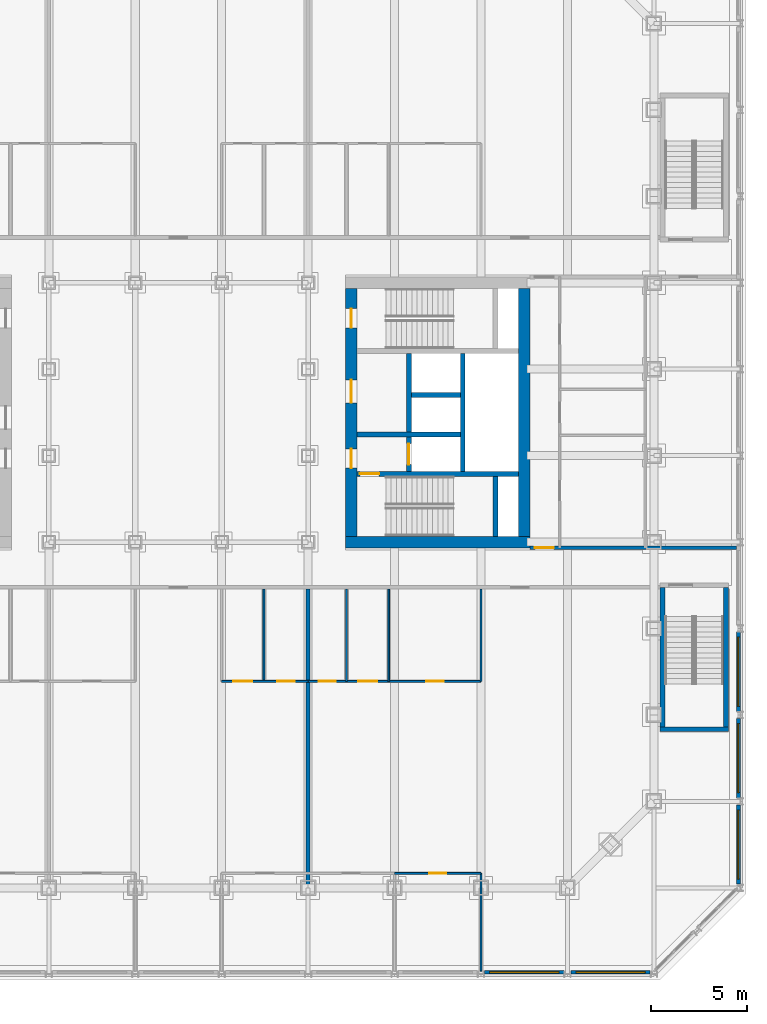
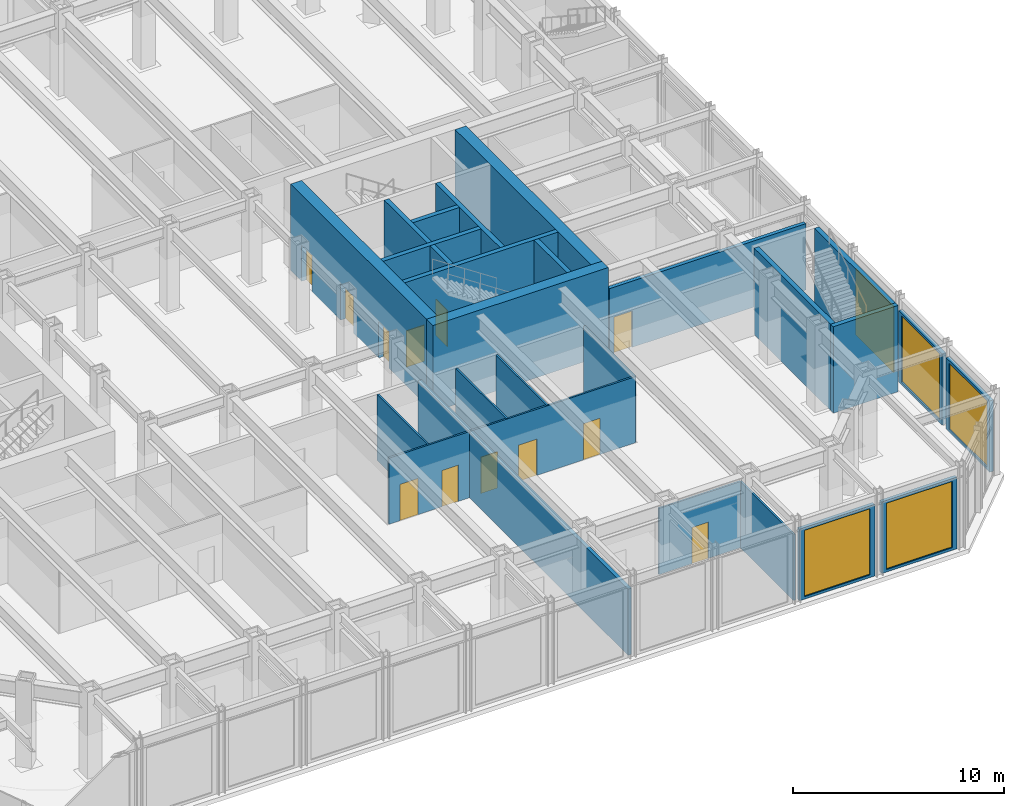
# One storey, part 12 of 19: 27 walls, 12 doors, 5 windows, 17 openings.
"""IFC4 building model written with IfcOpenShell, lengths in metres."""

from ifc_helpers import new_model, si_unit, direction, frame, frame_2d, origin, place, context, subcontext, project, spatial, rectangle, extrude, material, layer, layer_set, type_object, element, fill, save


model = new_model("IFC4")

# Units and contexts
model_context = context("Model", 3, precision=1e-05, world=origin(), true_north=direction((0.0, 1.0)))
body_context = subcontext(model_context, "Body", "Model", "MODEL_VIEW")
ifc_project = project(units=[si_unit("LENGTHUNIT", "METRE"), si_unit("AREAUNIT", "SQUARE_METRE"), si_unit("VOLUMEUNIT", "CUBIC_METRE"), si_unit("PLANEANGLEUNIT", "RADIAN"), si_unit("MASSUNIT", "GRAM", prefix="KILO")], contexts=[model_context])

# Site, building, storey
site_placement = place(None, origin())
site = spatial("IfcSite", under=ifc_project, at=site_placement, CompositionType="ELEMENT")
building_placement = place(site_placement, origin())
building = spatial("IfcBuilding", under=site, at=building_placement, Name="Msasa Ring Tower", CompositionType="ELEMENT")
storey_placement = place(building_placement, frame((0.0, 0.0, 6.0)))
storey = spatial("IfcBuildingStorey", under=building, at=storey_placement, Name="L01", CompositionType="ELEMENT", Elevation=6.0)

# Wall
ifc_material_1 = material(Name="Concrete C60/75", Category="concrete")
ifc_layer_1 = layer(ifc_material_1, 0.60009765625)
ifc_layer_set_1 = layer_set([ifc_layer_1], Name="CW1 CORE WALL 600")
wall_type_1 = type_object("IfcWallType", Name="CW1 CORE WALL 600", PredefinedType="SHEAR", material=ifc_layer_set_1)
wall_1_placement = place(storey_placement, frame((8.699951171875, -6.75, 0.0), z_axis=(0.0, 0.0, 1.0), x_axis=(1.0, 0.0, 0.0)))
element("IfcWall", 1, at=wall_1_placement, inside=storey, type_object=wall_type_1, Name="E core wall S L01", PredefinedType="SHEAR", context=body_context, shape_type="SweptSolid", body=[
    extrude(rectangle(XDim=9.60009765625, YDim=0.60009765625, at=frame_2d((4.800048828125, 0.0))), origin(), (0.0, 0.0, 1.0), 5.0),
])

# Wall, openings, doors
wall_2_placement = place(storey_placement, frame((9.0, -6.449951171875, 0.0), z_axis=(0.0, 0.0, 1.0), x_axis=(0.0, 1.0, 0.0)))
wall_2 = element("IfcWall", 2, at=wall_2_placement, inside=storey, type_object=wall_type_1, Name="E core wall W L01", PredefinedType="SHEAR", context=body_context, shape_type="SweptSolid", body=[
    extrude(rectangle(XDim=12.89990234375, YDim=0.60009765625, at=frame_2d((6.449951171875, 0.0))), origin(), (0.0, 0.0, 1.0), 5.0),
])
opening_1_placement = place(wall_2_placement, frame((3.550048828125, 0.0, 0.0)))
opening_1 = element("IfcOpeningElement", 3, at=opening_1_placement, cuts=wall_2, Name="Opening L01-028", PredefinedType="OPENING", context=body_context, shape_type="SweptSolid", body=[
    extrude(rectangle(XDim=1.0, YDim=2.10009765625, at=frame_2d((0.5, 1.050048828125))), frame((0.0, 0.31005859375, 0.0), z_axis=(0.0, -1.0, 0.0), x_axis=(1.0, 0.0, 0.0)), (0.0, 0.0, 1.0), 0.6201171875),
])
opening_2_placement = place(wall_2_placement, frame((6.949951171875, 0.0, 0.0)))
opening_2 = element("IfcOpeningElement", 4, at=opening_2_placement, cuts=wall_2, Name="Opening L01-023", PredefinedType="OPENING", context=body_context, shape_type="SweptSolid", body=[
    extrude(rectangle(XDim=1.199951171875, YDim=2.10009765625, at=frame_2d((0.60009765625, 1.050048828125))), frame((0.0, 0.31005859375, 0.0), z_axis=(0.0, -1.0, 0.0), x_axis=(1.0, 0.0, 0.0)), (0.0, 0.0, 1.0), 0.6201171875),
])
opening_3_placement = place(wall_2_placement, frame((10.85009765625, 0.0, 0.0)))
opening_3 = element("IfcOpeningElement", 5, at=opening_3_placement, cuts=wall_2, Name="Opening L01-020", PredefinedType="OPENING", context=body_context, shape_type="SweptSolid", body=[
    extrude(rectangle(XDim=1.0, YDim=2.10009765625, at=frame_2d((0.5, 1.050048828125))), frame((0.0, 0.31005859375, 0.0), z_axis=(0.0, -1.0, 0.0), x_axis=(1.0, 0.0, 0.0)), (0.0, 0.0, 1.0), 0.6201171875),
])
ifc_material_2 = material(Name="Timber door leaf in a steel frame", Category="steel")
door_type_1 = type_object("IfcDoorType", Name="D4 LOBBY DOOR 1000x2100", OperationType="SINGLE_SWING_LEFT", PredefinedType="DOOR", material=ifc_material_2)
door_1_placement = place(opening_1_placement, origin())
door_1 = element("IfcDoor", 6, at=door_1_placement, inside=storey, type_object=door_type_1, Name="Door L01-EFFL", OperationType="SINGLE_SWING_LEFT", OverallHeight=2.10009765625, OverallWidth=1.0, PredefinedType="DOOR", context=body_context, shape_type="SweptSolid", body=[
    extrude(rectangle(XDim=1.0, YDim=2.10009765625, at=frame_2d((0.5, 1.050048828125))), frame((0.0, 0.02490234375, 0.0), z_axis=(0.0, -1.0, 0.0), x_axis=(1.0, 0.0, 0.0)), (0.0, 0.0, 1.0), 0.050048828125),
])
fill(opening_1, door_1)
ifc_material_3 = material(Name="Timber door leaf in a steel frame", Category="steel")
door_type_2 = type_object("IfcDoorType", Name="D5 WIDE LOBBY DOOR 1200x2100", OperationType="SINGLE_SWING_LEFT", PredefinedType="DOOR", material=ifc_material_3)
door_2_placement = place(opening_2_placement, origin())
door_2 = element("IfcDoor", 7, at=door_2_placement, inside=storey, type_object=door_type_2, Name="Door L01-ELL", OperationType="SINGLE_SWING_RIGHT", OverallHeight=2.10009765625, OverallWidth=1.199951171875, PredefinedType="DOOR", context=body_context, shape_type="SweptSolid", body=[
    extrude(rectangle(XDim=1.199951171875, YDim=2.10009765625, at=frame_2d((0.60009765625, 1.050048828125))), frame((0.0, 0.02490234375, 0.0), z_axis=(0.0, -1.0, 0.0), x_axis=(1.0, 0.0, 0.0)), (0.0, 0.0, 1.0), 0.050048828125),
])
fill(opening_2, door_2)
ifc_material_4 = material(Name="Timber door leaf in a steel frame", Category="steel")
door_type_3 = type_object("IfcDoorType", Name="D6 STAIR DOOR 1000x2100", OperationType="SINGLE_SWING_LEFT", PredefinedType="DOOR", material=ifc_material_4)
door_3_placement = place(opening_3_placement, origin())
door_3 = element("IfcDoor", 8, at=door_3_placement, inside=storey, type_object=door_type_3, Name="Door L01-ESTB", OperationType="SINGLE_SWING_RIGHT", OverallHeight=2.10009765625, OverallWidth=1.0, PredefinedType="DOOR", context=body_context, shape_type="SweptSolid", body=[
    extrude(rectangle(XDim=1.0, YDim=2.10009765625, at=frame_2d((0.5, 1.050048828125))), frame((0.0, 0.02490234375, 0.0), z_axis=(0.0, -1.0, 0.0), x_axis=(1.0, 0.0, 0.0)), (0.0, 0.0, 1.0), 0.050048828125),
])
fill(opening_3, door_3)

# Wall
wall_3_placement = place(storey_placement, frame((18.0, -6.449951171875, 0.0), z_axis=(0.0, 0.0, 1.0), x_axis=(0.0, 1.0, 0.0)))
element("IfcWall", 9, at=wall_3_placement, inside=storey, type_object=wall_type_1, Name="E core wall E L01", PredefinedType="SHEAR", context=body_context, shape_type="SweptSolid", body=[
    extrude(rectangle(XDim=12.89990234375, YDim=0.60009765625, at=frame_2d((6.449951171875, 0.0))), origin(), (0.0, 0.0, 1.0), 5.0),
])

# Wall, opening, door
ifc_material_5 = material(Name="Concrete C60/75", Category="concrete")
ifc_layer_2 = layer(ifc_material_5, 0.25)
ifc_layer_set_2 = layer_set([ifc_layer_2], Name="CW4 CORE INNER WALL 250")
wall_type_2 = type_object("IfcWallType", Name="CW4 CORE INNER WALL 250", PredefinedType="SHEAR", material=ifc_layer_set_2)
wall_4_placement = place(storey_placement, frame((9.300048828125, -3.199951171875, 0.0), z_axis=(0.0, 0.0, 1.0), x_axis=(1.0, 0.0, 0.0)))
wall_4 = element("IfcWall", 10, at=wall_4_placement, inside=storey, type_object=wall_type_2, Name="E core wall STAIRA L01", PredefinedType="SHEAR", context=body_context, shape_type="SweptSolid", body=[
    extrude(rectangle(XDim=8.39990234375, YDim=0.25, at=frame_2d((4.199951171875, 0.0))), origin(), (0.0, 0.0, 1.0), 5.0),
])
opening_4_placement = place(wall_4_placement, frame((0.14990234375, 0.0, 0.0)))
opening_4 = element("IfcOpeningElement", 11, at=opening_4_placement, cuts=wall_4, Name="Opening L01-030", PredefinedType="OPENING", context=body_context, shape_type="SweptSolid", body=[
    extrude(rectangle(XDim=1.0, YDim=2.10009765625, at=frame_2d((0.5, 1.050048828125))), frame((0.0, 0.135009765625, 0.0), z_axis=(0.0, -1.0, 0.0), x_axis=(1.0, 0.0, 0.0)), (0.0, 0.0, 1.0), 0.27001953125),
])
door_4_placement = place(opening_4_placement, origin())
door_4 = element("IfcDoor", 12, at=door_4_placement, inside=storey, type_object=door_type_3, Name="Door L01-ESTA", OperationType="SINGLE_SWING_LEFT", OverallHeight=2.10009765625, OverallWidth=1.0, PredefinedType="DOOR", context=body_context, shape_type="SweptSolid", body=[
    extrude(rectangle(XDim=1.0, YDim=2.10009765625, at=frame_2d((0.5, 1.050048828125))), frame((0.0, 0.02490234375, 0.0), z_axis=(0.0, -1.0, 0.0), x_axis=(1.0, 0.0, 0.0)), (0.0, 0.0, 1.0), 0.050048828125),
])
fill(opening_4, door_4)

# Walls
wall_5_placement = place(storey_placement, frame((16.5, -6.449951171875, 0.0), z_axis=(0.0, 0.0, 1.0), x_axis=(0.0, 1.0, 0.0)))
element("IfcWall", 13, at=wall_5_placement, inside=storey, type_object=wall_type_2, Name="E core wall RISERA L01", PredefinedType="SHEAR", context=body_context, shape_type="SweptSolid", body=[
    extrude(rectangle(XDim=3.125, YDim=0.25, at=frame_2d((1.5625, 0.0))), origin(), (0.0, 0.0, 1.0), 5.0),
])
wall_6_placement = place(storey_placement, frame((9.300048828125, -1.14990234375, 0.0), z_axis=(0.0, 0.0, 1.0), x_axis=(1.0, 0.0, 0.0)))
element("IfcWall", 14, at=wall_6_placement, inside=storey, type_object=wall_type_2, Name="E core wall FFL L01", PredefinedType="SHEAR", context=body_context, shape_type="SweptSolid", body=[
    extrude(rectangle(XDim=5.375, YDim=0.25, at=frame_2d((2.6875, 0.0))), origin(), (0.0, 0.0, 1.0), 5.0),
])

# Wall, opening, door
wall_7_placement = place(storey_placement, frame((12.0, -3.074951171875, 0.0), z_axis=(0.0, 0.0, 1.0), x_axis=(0.0, 1.0, 0.0)))
wall_7 = element("IfcWall", 15, at=wall_7_placement, inside=storey, type_object=wall_type_2, Name="E core wall LOBBY L01", PredefinedType="SHEAR", context=body_context, shape_type="SweptSolid", body=[
    extrude(rectangle(XDim=6.14990234375, YDim=0.25, at=frame_2d((3.074951171875, 0.0))), origin(), (0.0, 0.0, 1.0), 5.0),
])
opening_5_placement = place(wall_7_placement, frame((0.35009765625, 0.0, 0.0)))
opening_5 = element("IfcOpeningElement", 16, at=opening_5_placement, cuts=wall_7, Name="Opening LD1", PredefinedType="OPENING", context=body_context, shape_type="SweptSolid", body=[
    extrude(rectangle(XDim=1.10009765625, YDim=2.10009765625, at=frame_2d((0.550048828125, 1.050048828125))), frame((0.0, 0.135009765625, 0.0), z_axis=(0.0, -1.0, 0.0), x_axis=(1.0, 0.0, 0.0)), (0.0, 0.0, 1.0), 0.27001953125),
])
ifc_material_6 = material(Name="Stainless steel lift landing door", Category="steel")
door_type_4 = type_object("IfcDoorType", Name="LD1 LIFT LANDING DOOR 1100x2100", OperationType="DOUBLE_DOOR_SLIDING", PredefinedType="DOOR", material=ifc_material_6)
door_5_placement = place(opening_5_placement, origin())
door_5 = element("IfcDoor", 17, at=door_5_placement, inside=storey, type_object=door_type_4, Name="Lift landing door FL-E L01", OperationType="DOUBLE_DOOR_SLIDING", OverallHeight=2.10009765625, OverallWidth=1.10009765625, PredefinedType="DOOR", context=body_context, shape_type="SweptSolid", body=[
    extrude(rectangle(XDim=1.10009765625, YDim=2.10009765625, at=frame_2d((0.550048828125, 1.050048828125))), frame((0.0, 0.02490234375, 0.0), z_axis=(0.0, -1.0, 0.0), x_axis=(1.0, 0.0, 0.0)), (0.0, 0.0, 1.0), 0.050048828125),
])
fill(opening_5, door_5)

# Walls
wall_8_placement = place(storey_placement, frame((14.800048828125, -3.074951171875, 0.0), z_axis=(0.0, 0.0, 1.0), x_axis=(0.0, 1.0, 0.0)))
element("IfcWall", 18, at=wall_8_placement, inside=storey, type_object=wall_type_2, Name="E core wall SHAFT L01", PredefinedType="SHEAR", context=body_context, shape_type="SweptSolid", body=[
    extrude(rectangle(XDim=6.14990234375, YDim=0.25, at=frame_2d((3.074951171875, 0.0))), origin(), (0.0, 0.0, 1.0), 5.0),
])
wall_9_placement = place(storey_placement, frame((12.125, 0.89990234375, 0.0), z_axis=(0.0, 0.0, 1.0), x_axis=(1.0, 0.0, 0.0)))
element("IfcWall", 19, at=wall_9_placement, inside=storey, type_object=wall_type_2, Name="E core wall LIFT1 L01", PredefinedType="SHEAR", context=body_context, shape_type="SweptSolid", body=[
    extrude(rectangle(XDim=2.550048828125, YDim=0.25, at=frame_2d((1.27490234375, 0.0))), origin(), (0.0, 0.0, 1.0), 5.0),
])

# Wall, opening, window
ifc_material_7 = material(Name="Terracotta rainscreen on blockwork", Category="masonry")
ifc_layer_3 = layer(ifc_material_7, 0.199951171875)
ifc_layer_set_3 = layer_set([ifc_layer_3], Name="FW2 TERRACOTTA PODIUM BAY WALL 200")
wall_type_3 = type_object("IfcWallType", Name="FW2 TERRACOTTA PODIUM BAY WALL 200", PredefinedType="SOLIDWALL", material=ifc_layer_set_3)
wall_10_placement = place(storey_placement, frame((15.9375, -29.14990234375, 0.0), z_axis=(0.0, 0.0, 1.0), x_axis=(1.0, 0.0, 0.0)))
wall_10 = element("IfcWall", 20, at=wall_10_placement, inside=storey, type_object=wall_type_3, Name="Podium bay wall S L01 09", PredefinedType="SOLIDWALL", context=body_context, shape_type="SweptSolid", body=[
    extrude(rectangle(XDim=4.124755859375, YDim=0.199951171875, at=frame_2d((2.0625, 0.0))), origin(), (0.0, 0.0, 1.0), 4.1328125),
])
opening_6_placement = place(wall_10_placement, frame((0.262451171875, 0.0, 0.14990234375)))
opening_6 = element("IfcOpeningElement", 21, at=opening_6_placement, cuts=wall_10, Name="Opening SF2", PredefinedType="OPENING", context=body_context, shape_type="SweptSolid", body=[
    extrude(rectangle(XDim=3.60009765625, YDim=3.8330078125, at=frame_2d((1.800048828125, 1.91650390625))), frame((0.0, 0.10986328125, 0.0), z_axis=(0.0, -1.0, 0.0), x_axis=(1.0, 0.0, 0.0)), (0.0, 0.0, 1.0), 0.219970703125),
])
ifc_material_8 = material(Name="Aluminium frame with clear glass", Category="aluminium")
window_type = type_object("IfcWindowType", Name="SF2 SHOPFRONT GLAZING 3600x3833", PartitioningType="SINGLE_PANEL", PredefinedType="WINDOW", material=ifc_material_8)
window_1_placement = place(opening_6_placement, origin())
window_1 = element("IfcWindow", 22, at=window_1_placement, inside=storey, type_object=window_type, Name="Shopfront glazing S L01 09", OverallHeight=3.8330078125, OverallWidth=3.60009765625, PartitioningType="SINGLE_PANEL", PredefinedType="WINDOW", context=body_context, shape_type="SweptSolid", body=[
    extrude(rectangle(XDim=3.60009765625, YDim=3.8330078125, at=frame_2d((1.800048828125, 1.91650390625))), frame((0.0, 0.030029296875, 0.0), z_axis=(0.0, -1.0, 0.0), x_axis=(1.0, 0.0, 0.0)), (0.0, 0.0, 1.0), 0.06005859375),
])
fill(opening_6, window_1)

wall_11_placement = place(storey_placement, frame((20.437744140625, -29.14990234375, 0.0), z_axis=(0.0, 0.0, 1.0), x_axis=(1.0, 0.0, 0.0)))
wall_11 = element("IfcWall", 23, at=wall_11_placement, inside=storey, type_object=wall_type_3, Name="Podium bay wall S L01 10", PredefinedType="SOLIDWALL", context=body_context, shape_type="SweptSolid", body=[
    extrude(rectangle(XDim=4.12451171875, YDim=0.199951171875, at=frame_2d((2.062255859375, 0.0))), origin(), (0.0, 0.0, 1.0), 4.1328125),
])
opening_7_placement = place(wall_11_placement, frame((0.26220703125, 0.0, 0.14990234375)))
opening_7 = element("IfcOpeningElement", 24, at=opening_7_placement, cuts=wall_11, Name="Opening SF2", PredefinedType="OPENING", context=body_context, shape_type="SweptSolid", body=[
    extrude(rectangle(XDim=3.60009765625, YDim=3.8330078125, at=frame_2d((1.800048828125, 1.91650390625))), frame((0.0, 0.10986328125, 0.0), z_axis=(0.0, -1.0, 0.0), x_axis=(1.0, 0.0, 0.0)), (0.0, 0.0, 1.0), 0.219970703125),
])
window_2_placement = place(opening_7_placement, origin())
window_2 = element("IfcWindow", 25, at=window_2_placement, inside=storey, type_object=window_type, Name="Shopfront glazing S L01 10", OverallHeight=3.8330078125, OverallWidth=3.60009765625, PartitioningType="SINGLE_PANEL", PredefinedType="WINDOW", context=body_context, shape_type="SweptSolid", body=[
    extrude(rectangle(XDim=3.60009765625, YDim=3.8330078125, at=frame_2d((1.800048828125, 1.91650390625))), frame((0.0, 0.030029296875, 0.0), z_axis=(0.0, -1.0, 0.0), x_axis=(1.0, 0.0, 0.0)), (0.0, 0.0, 1.0), 0.06005859375),
])
fill(opening_7, window_2)

wall_12_placement = place(storey_placement, frame((29.14990234375, -24.562255859375, 0.0), z_axis=(0.0, 0.0, 1.0), x_axis=(0.0, 1.0, 0.0)))
wall_12 = element("IfcWall", 26, at=wall_12_placement, inside=storey, type_object=wall_type_3, Name="Podium bay wall E L01 13", PredefinedType="SOLIDWALL", context=body_context, shape_type="SweptSolid", body=[
    extrude(rectangle(XDim=4.12451171875, YDim=0.199951171875, at=frame_2d((2.062255859375, 0.0))), origin(), (0.0, 0.0, 1.0), 4.1328125),
])
opening_8_placement = place(wall_12_placement, frame((0.26220703125, 0.0, 0.14990234375)))
opening_8 = element("IfcOpeningElement", 27, at=opening_8_placement, cuts=wall_12, Name="Opening SF2", PredefinedType="OPENING", context=body_context, shape_type="SweptSolid", body=[
    extrude(rectangle(XDim=3.60009765625, YDim=3.8330078125, at=frame_2d((1.800048828125, 1.91650390625))), frame((0.0, 0.10986328125, 0.0), z_axis=(0.0, -1.0, 0.0), x_axis=(1.0, 0.0, 0.0)), (0.0, 0.0, 1.0), 0.219970703125),
])
window_3_placement = place(opening_8_placement, origin())
window_3 = element("IfcWindow", 28, at=window_3_placement, inside=storey, type_object=window_type, Name="Shopfront glazing E L01 13", OverallHeight=3.8330078125, OverallWidth=3.60009765625, PartitioningType="SINGLE_PANEL", PredefinedType="WINDOW", context=body_context, shape_type="SweptSolid", body=[
    extrude(rectangle(XDim=3.60009765625, YDim=3.8330078125, at=frame_2d((1.800048828125, 1.91650390625))), frame((0.0, 0.030029296875, 0.0), z_axis=(0.0, -1.0, 0.0), x_axis=(1.0, 0.0, 0.0)), (0.0, 0.0, 1.0), 0.06005859375),
])
fill(opening_8, window_3)

wall_13_placement = place(storey_placement, frame((29.14990234375, -20.062255859375, 0.0), z_axis=(0.0, 0.0, 1.0), x_axis=(0.0, 1.0, 0.0)))
wall_13 = element("IfcWall", 29, at=wall_13_placement, inside=storey, type_object=wall_type_3, Name="Podium bay wall E L01 14", PredefinedType="SOLIDWALL", context=body_context, shape_type="SweptSolid", body=[
    extrude(rectangle(XDim=4.124755859375, YDim=0.199951171875, at=frame_2d((2.0625, 0.0))), origin(), (0.0, 0.0, 1.0), 4.1328125),
])
opening_9_placement = place(wall_13_placement, frame((0.26220703125, 0.0, 0.14990234375)))
opening_9 = element("IfcOpeningElement", 30, at=opening_9_placement, cuts=wall_13, Name="Opening SF2", PredefinedType="OPENING", context=body_context, shape_type="SweptSolid", body=[
    extrude(rectangle(XDim=3.60009765625, YDim=3.8330078125, at=frame_2d((1.800048828125, 1.91650390625))), frame((0.0, 0.10986328125, 0.0), z_axis=(0.0, -1.0, 0.0), x_axis=(1.0, 0.0, 0.0)), (0.0, 0.0, 1.0), 0.219970703125),
])
window_4_placement = place(opening_9_placement, origin())
window_4 = element("IfcWindow", 31, at=window_4_placement, inside=storey, type_object=window_type, Name="Shopfront glazing E L01 14", OverallHeight=3.8330078125, OverallWidth=3.60009765625, PartitioningType="SINGLE_PANEL", PredefinedType="WINDOW", context=body_context, shape_type="SweptSolid", body=[
    extrude(rectangle(XDim=3.60009765625, YDim=3.8330078125, at=frame_2d((1.800048828125, 1.91650390625))), frame((0.0, 0.030029296875, 0.0), z_axis=(0.0, -1.0, 0.0), x_axis=(1.0, 0.0, 0.0)), (0.0, 0.0, 1.0), 0.06005859375),
])
fill(opening_9, window_4)

wall_14_placement = place(storey_placement, frame((29.14990234375, -15.5625, 0.0), z_axis=(0.0, 0.0, 1.0), x_axis=(0.0, 1.0, 0.0)))
wall_14 = element("IfcWall", 32, at=wall_14_placement, inside=storey, type_object=wall_type_3, Name="Podium bay wall E L01 15", PredefinedType="SOLIDWALL", context=body_context, shape_type="SweptSolid", body=[
    extrude(rectangle(XDim=4.125, YDim=0.199951171875, at=frame_2d((2.0625, 0.0))), origin(), (0.0, 0.0, 1.0), 4.1328125),
])
opening_10_placement = place(wall_14_placement, frame((0.262451171875, 0.0, 0.14990234375)))
opening_10 = element("IfcOpeningElement", 33, at=opening_10_placement, cuts=wall_14, Name="Opening SF2", PredefinedType="OPENING", context=body_context, shape_type="SweptSolid", body=[
    extrude(rectangle(XDim=3.60009765625, YDim=3.8330078125, at=frame_2d((1.800048828125, 1.91650390625))), frame((0.0, 0.10986328125, 0.0), z_axis=(0.0, -1.0, 0.0), x_axis=(1.0, 0.0, 0.0)), (0.0, 0.0, 1.0), 0.219970703125),
])
window_5_placement = place(opening_10_placement, origin())
window_5 = element("IfcWindow", 34, at=window_5_placement, inside=storey, type_object=window_type, Name="Shopfront glazing E L01 15", OverallHeight=3.8330078125, OverallWidth=3.60009765625, PartitioningType="SINGLE_PANEL", PredefinedType="WINDOW", context=body_context, shape_type="SweptSolid", body=[
    extrude(rectangle(XDim=3.60009765625, YDim=3.8330078125, at=frame_2d((1.800048828125, 1.91650390625))), frame((0.0, 0.030029296875, 0.0), z_axis=(0.0, -1.0, 0.0), x_axis=(1.0, 0.0, 0.0)), (0.0, 0.0, 1.0), 0.06005859375),
])
fill(opening_10, window_5)

# Wall, opening, door
ifc_material_9 = material(Name="Concrete blockwork", Category="masonry")
ifc_layer_4 = layer(ifc_material_9, 0.199951171875)
ifc_layer_set_4 = layer_set([ifc_layer_4], Name="PT1 CORRIDOR WALL 200")
wall_type_4 = type_object("IfcWallType", Name="PT1 CORRIDOR WALL 200", PredefinedType="PARTITIONING", material=ifc_layer_set_4)
wall_15_placement = place(storey_placement, frame((18.300048828125, -7.050048828125, 0.0), z_axis=(0.0, 0.0, 1.0), x_axis=(1.0, 0.0, 0.0)))
wall_15 = element("IfcWall", 35, at=wall_15_placement, inside=storey, type_object=wall_type_4, Name="Corridor wall L01-STRES", PredefinedType="PARTITIONING", context=body_context, shape_type="SweptSolid", body=[
    extrude(rectangle(XDim=10.75, YDim=0.199951171875, at=frame_2d((5.375, 0.0))), origin(), (0.0, 0.0, 1.0), 3.8291015625),
])
opening_11_placement = place(wall_15_placement, frame((0.25, 0.0, 0.0)))
opening_11 = element("IfcOpeningElement", 36, at=opening_11_placement, cuts=wall_15, Name="Opening L01-034", PredefinedType="OPENING", context=body_context, shape_type="SweptSolid", body=[
    extrude(rectangle(XDim=1.0, YDim=2.10009765625, at=frame_2d((0.5, 1.050048828125))), frame((0.0, 0.10986328125, 0.0), z_axis=(0.0, -1.0, 0.0), x_axis=(1.0, 0.0, 0.0)), (0.0, 0.0, 1.0), 0.219970703125),
])
ifc_material_10 = material(Name="Timber door leaf in a steel frame", Category="steel")
door_type_5 = type_object("IfcDoorType", Name="D12 WC DOOR 1000x2100", OperationType="SINGLE_SWING_LEFT", PredefinedType="DOOR", material=ifc_material_10)
door_6_placement = place(opening_11_placement, origin())
door_6 = element("IfcDoor", 37, at=door_6_placement, inside=storey, type_object=door_type_5, Name="Door L01-WLES", OperationType="SINGLE_SWING_LEFT", OverallHeight=2.10009765625, OverallWidth=1.0, PredefinedType="DOOR", context=body_context, shape_type="SweptSolid", body=[
    extrude(rectangle(XDim=1.0, YDim=2.10009765625, at=frame_2d((0.5, 1.050048828125))), frame((0.0, 0.02490234375, 0.0), z_axis=(0.0, -1.0, 0.0), x_axis=(1.0, 0.0, 0.0)), (0.0, 0.0, 1.0), 0.050048828125),
])
fill(opening_11, door_6)

# Wall, openings, doors
ifc_material_11 = material(Name="Gypsum board on steel studs", Category="steel")
ifc_layer_5 = layer(ifc_material_11, 0.10009765625)
ifc_layer_set_5 = layer_set([ifc_layer_5], Name="PT2 STUD PARTITION 100")
wall_type_5 = type_object("IfcWallType", Name="PT2 STUD PARTITION 100", PredefinedType="PARTITIONING", material=ifc_layer_set_5)
wall_16_placement = place(storey_placement, frame((2.25, -14.0, 0.0), z_axis=(0.0, 0.0, 1.0), x_axis=(1.0, 0.0, 0.0)))
wall_16 = element("IfcWall", 38, at=wall_16_placement, inside=storey, type_object=wall_type_5, Name="Partition L01-PDS1BY1", PredefinedType="PARTITIONING", context=body_context, shape_type="SweptSolid", body=[
    extrude(rectangle(XDim=4.5, YDim=0.10009765625, at=frame_2d((2.25, 0.0))), origin(), (0.0, 0.0, 1.0), 3.8291015625),
])
opening_12_placement = place(wall_16_placement, frame((0.60009765625, 0.0, 0.0)))
opening_12 = element("IfcOpeningElement", 39, at=opening_12_placement, cuts=wall_16, Name="Opening L01-044", PredefinedType="OPENING", context=body_context, shape_type="SweptSolid", body=[
    extrude(rectangle(XDim=1.0, YDim=2.10009765625, at=frame_2d((0.5, 1.050048828125))), frame((0.0, 0.06005859375, 0.0), z_axis=(0.0, -1.0, 0.0), x_axis=(1.0, 0.0, 0.0)), (0.0, 0.0, 1.0), 0.1201171875),
])
opening_13_placement = place(wall_16_placement, frame((2.89990234375, 0.0, 0.0)))
opening_13 = element("IfcOpeningElement", 40, at=opening_13_placement, cuts=wall_16, Name="Opening L01-045", PredefinedType="OPENING", context=body_context, shape_type="SweptSolid", body=[
    extrude(rectangle(XDim=0.89990234375, YDim=2.10009765625, at=frame_2d((0.449951171875, 1.050048828125))), frame((0.0, 0.06005859375, 0.0), z_axis=(0.0, -1.0, 0.0), x_axis=(1.0, 0.0, 0.0)), (0.0, 0.0, 1.0), 0.1201171875),
])
ifc_material_12 = material(Name="Timber door leaf in a steel frame", Category="steel")
door_type_6 = type_object("IfcDoorType", Name="D22 INTERNAL HALL DOOR 900x2100", OperationType="SINGLE_SWING_LEFT", PredefinedType="DOOR", material=ifc_material_12)
door_7_placement = place(opening_13_placement, origin())
door_7 = element("IfcDoor", 41, at=door_7_placement, inside=storey, type_object=door_type_6, Name="Door L01-PDS1B2", OperationType="SINGLE_SWING_RIGHT", OverallHeight=2.10009765625, OverallWidth=0.89990234375, PredefinedType="DOOR", context=body_context, shape_type="SweptSolid", body=[
    extrude(rectangle(XDim=0.89990234375, YDim=2.10009765625, at=frame_2d((0.449951171875, 1.050048828125))), frame((0.0, 0.02490234375, 0.0), z_axis=(0.0, -1.0, 0.0), x_axis=(1.0, 0.0, 0.0)), (0.0, 0.0, 1.0), 0.050048828125),
])
fill(opening_13, door_7)
ifc_material_13 = material(Name="Timber door leaf in a steel frame", Category="steel")
door_type_7 = type_object("IfcDoorType", Name="D27 INTERNAL STORE DOOR 1000x2100", OperationType="SINGLE_SWING_LEFT", PredefinedType="DOOR", material=ifc_material_13)
door_8_placement = place(opening_12_placement, origin())
door_8 = element("IfcDoor", 42, at=door_8_placement, inside=storey, type_object=door_type_7, Name="Door L01-PDS1B1", OperationType="SINGLE_SWING_LEFT", OverallHeight=2.10009765625, OverallWidth=1.0, PredefinedType="DOOR", context=body_context, shape_type="SweptSolid", body=[
    extrude(rectangle(XDim=1.0, YDim=2.10009765625, at=frame_2d((0.5, 1.050048828125))), frame((0.0, 0.02490234375, 0.0), z_axis=(0.0, -1.0, 0.0), x_axis=(1.0, 0.0, 0.0)), (0.0, 0.0, 1.0), 0.050048828125),
])
fill(opening_12, door_8)

# Wall
wall_17_placement = place(storey_placement, frame((4.449951171875, -14.0, 0.0), z_axis=(0.0, 0.0, 1.0), x_axis=(0.0, 1.0, 0.0)))
element("IfcWall", 43, at=wall_17_placement, inside=storey, type_object=wall_type_5, Name="Partition L01-PDS1BX+4.45", PredefinedType="PARTITIONING", context=body_context, shape_type="SweptSolid", body=[
    extrude(rectangle(XDim=4.800048828125, YDim=0.10009765625, at=frame_2d((2.39990234375, 0.0))), origin(), (0.0, 0.0, 1.0), 3.8291015625),
])

# Wall, openings, doors
wall_18_placement = place(storey_placement, frame((6.75, -14.0, 0.0), z_axis=(0.0, 0.0, 1.0), x_axis=(1.0, 0.0, 0.0)))
wall_18 = element("IfcWall", 44, at=wall_18_placement, inside=storey, type_object=wall_type_5, Name="Partition L01-PDS2BY", PredefinedType="PARTITIONING", context=body_context, shape_type="SweptSolid", body=[
    extrude(rectangle(XDim=9.0, YDim=0.10009765625, at=frame_2d((4.5, 0.0))), origin(), (0.0, 0.0, 1.0), 3.8291015625),
])
opening_14_placement = place(wall_18_placement, frame((6.14990234375, 0.0, 0.0)))
opening_14 = element("IfcOpeningElement", 45, at=opening_14_placement, cuts=wall_18, Name="Opening L01-048", PredefinedType="OPENING", context=body_context, shape_type="SweptSolid", body=[
    extrude(rectangle(XDim=0.89990234375, YDim=2.10009765625, at=frame_2d((0.449951171875, 1.050048828125))), frame((0.0, 0.06005859375, 0.0), z_axis=(0.0, -1.0, 0.0), x_axis=(1.0, 0.0, 0.0)), (0.0, 0.0, 1.0), 0.1201171875),
])
opening_15_placement = place(wall_18_placement, frame((2.60009765625, 0.0, 0.0)))
opening_15 = element("IfcOpeningElement", 46, at=opening_15_placement, cuts=wall_18, Name="Opening L01-047", PredefinedType="OPENING", context=body_context, shape_type="SweptSolid", body=[
    extrude(rectangle(XDim=1.0, YDim=2.10009765625, at=frame_2d((0.5, 1.050048828125))), frame((0.0, 0.06005859375, 0.0), z_axis=(0.0, -1.0, 0.0), x_axis=(1.0, 0.0, 0.0)), (0.0, 0.0, 1.0), 0.1201171875),
])
opening_16_placement = place(wall_18_placement, frame((0.550048828125, 0.0, 0.0)))
opening_16 = element("IfcOpeningElement", 47, at=opening_16_placement, cuts=wall_18, Name="Opening L01-046", PredefinedType="OPENING", context=body_context, shape_type="SweptSolid", body=[
    extrude(rectangle(XDim=0.89990234375, YDim=2.10009765625, at=frame_2d((0.449951171875, 1.050048828125))), frame((0.0, 0.06005859375, 0.0), z_axis=(0.0, -1.0, 0.0), x_axis=(1.0, 0.0, 0.0)), (0.0, 0.0, 1.0), 0.1201171875),
])
door_9_placement = place(opening_14_placement, origin())
door_9 = element("IfcDoor", 48, at=door_9_placement, inside=storey, type_object=door_type_6, Name="Door L01-PDS2B0", OperationType="SINGLE_SWING_RIGHT", OverallHeight=2.10009765625, OverallWidth=0.89990234375, PredefinedType="DOOR", context=body_context, shape_type="SweptSolid", body=[
    extrude(rectangle(XDim=0.89990234375, YDim=2.10009765625, at=frame_2d((0.449951171875, 1.050048828125))), frame((0.0, 0.02490234375, 0.0), z_axis=(0.0, -1.0, 0.0), x_axis=(1.0, 0.0, 0.0)), (0.0, 0.0, 1.0), 0.050048828125),
])
fill(opening_14, door_9)
door_10_placement = place(opening_16_placement, origin())
door_10 = element("IfcDoor", 49, at=door_10_placement, inside=storey, type_object=door_type_6, Name="Door L01-PDS2B2", OperationType="SINGLE_SWING_LEFT", OverallHeight=2.10009765625, OverallWidth=0.89990234375, PredefinedType="DOOR", context=body_context, shape_type="SweptSolid", body=[
    extrude(rectangle(XDim=0.89990234375, YDim=2.10009765625, at=frame_2d((0.449951171875, 1.050048828125))), frame((0.0, 0.02490234375, 0.0), z_axis=(0.0, -1.0, 0.0), x_axis=(1.0, 0.0, 0.0)), (0.0, 0.0, 1.0), 0.050048828125),
])
fill(opening_16, door_10)
door_11_placement = place(opening_15_placement, origin())
door_11 = element("IfcDoor", 50, at=door_11_placement, inside=storey, type_object=door_type_7, Name="Door L01-PDS2B1", OperationType="SINGLE_SWING_LEFT", OverallHeight=2.10009765625, OverallWidth=1.0, PredefinedType="DOOR", context=body_context, shape_type="SweptSolid", body=[
    extrude(rectangle(XDim=1.0, YDim=2.10009765625, at=frame_2d((0.5, 1.050048828125))), frame((0.0, 0.02490234375, 0.0), z_axis=(0.0, -1.0, 0.0), x_axis=(1.0, 0.0, 0.0)), (0.0, 0.0, 1.0), 0.050048828125),
])
fill(opening_15, door_11)

# Walls
for number, where, z_axis, x_axis, name in (
    (51, (8.75, -14.0, 0.0), (0.0, 0.0, 1.0), (0.0, 1.0, 0.0), "Partition L01-PDS2BX+8.75"),
    (52, (10.949951171875, -14.0, 0.0), (0.0, 0.0, 1.0), (0.0, 1.0, 0.0), "Partition L01-PDS2BX+10.95"),
    (53, (15.75, -14.0, 0.0), (0.0, 0.0, 1.0), (0.0, 1.0, 0.0), "Partition L01-PDS2BX+15.75"),
):
    element("IfcWall", number, at=place(storey_placement, frame(where, z_axis=z_axis, x_axis=x_axis)), inside=storey, type_object=wall_type_5, Name=name, PredefinedType="PARTITIONING", context=body_context, shape_type="SweptSolid", body=[
        extrude(rectangle(XDim=4.800048828125, YDim=0.10009765625, at=frame_2d((2.39990234375, 0.0))), origin(), (0.0, 0.0, 1.0), 3.8291015625),
    ])
wall_19_placement = place(storey_placement, frame((15.75, -29.0888671875, 0.0), z_axis=(0.0, 0.0, 1.0), x_axis=(0.0, 1.0, 0.0)))
element("IfcWall", 54, at=wall_19_placement, inside=storey, type_object=wall_type_5, Name="Partition L01-PDS2FX+15.75", PredefinedType="PARTITIONING", context=body_context, shape_type="SweptSolid", body=[
    extrude(rectangle(XDim=5.0888671875, YDim=0.10009765625, at=frame_2d((2.54443359375, 0.0))), origin(), (0.0, 0.0, 1.0), 3.8291015625),
])

# Wall, opening, door
wall_20_placement = place(storey_placement, frame((11.25, -24.0, 0.0), z_axis=(0.0, 0.0, 1.0), x_axis=(1.0, 0.0, 0.0)))
wall_20 = element("IfcWall", 55, at=wall_20_placement, inside=storey, type_object=wall_type_5, Name="Partition L01-PDS2FY0", PredefinedType="PARTITIONING", context=body_context, shape_type="SweptSolid", body=[
    extrude(rectangle(XDim=4.5, YDim=0.10009765625, at=frame_2d((2.25, 0.0))), origin(), (0.0, 0.0, 1.0), 3.8291015625),
])
opening_17_placement = place(wall_20_placement, frame((1.800048828125, 0.0, 0.0)))
opening_17 = element("IfcOpeningElement", 56, at=opening_17_placement, cuts=wall_20, Name="Opening L01-054", PredefinedType="OPENING", context=body_context, shape_type="SweptSolid", body=[
    extrude(rectangle(XDim=0.89990234375, YDim=2.10009765625, at=frame_2d((0.449951171875, 1.050048828125))), frame((0.0, 0.06005859375, 0.0), z_axis=(0.0, -1.0, 0.0), x_axis=(1.0, 0.0, 0.0)), (0.0, 0.0, 1.0), 0.1201171875),
])
door_12_placement = place(opening_17_placement, origin())
door_12 = element("IfcDoor", 57, at=door_12_placement, inside=storey, type_object=door_type_6, Name="Door L01-PDS2F0", OperationType="SINGLE_SWING_LEFT", OverallHeight=2.10009765625, OverallWidth=0.89990234375, PredefinedType="DOOR", context=body_context, shape_type="SweptSolid", body=[
    extrude(rectangle(XDim=0.89990234375, YDim=2.10009765625, at=frame_2d((0.449951171875, 1.050048828125))), frame((0.0, 0.02490234375, 0.0), z_axis=(0.0, -1.0, 0.0), x_axis=(1.0, 0.0, 0.0)), (0.0, 0.0, 1.0), 0.050048828125),
])
fill(opening_17, door_12)

# Walls
ifc_material_14 = material(Name="Dense concrete blockwork, plastered both faces", Category="masonry")
ifc_layer_6 = layer(ifc_material_14, 0.25)
ifc_layer_set_6 = layer_set([ifc_layer_6], Name="PT3 APARTMENT SEPARATING WALL 250")
wall_type_6 = type_object("IfcWallType", Name="PT3 APARTMENT SEPARATING WALL 250", PredefinedType="PARTITIONING", material=ifc_layer_set_6)
wall_21_placement = place(storey_placement, frame((6.75, -29.0888671875, 0.0), z_axis=(0.0, 0.0, 1.0), x_axis=(0.0, 1.0, 0.0)))
element("IfcWall", 58, at=wall_21_placement, inside=storey, type_object=wall_type_6, Name="Party wall L01-PWS+6.75", PredefinedType="PARTITIONING", context=body_context, shape_type="SweptSolid", body=[
    extrude(rectangle(XDim=19.888916015625, YDim=0.199951171875, at=frame_2d((9.9443359375, 0.0))), origin(), (0.0, 0.0, 1.0), 3.8291015625),
])
ifc_material_15 = material(Name="Concrete C60/75", Category="concrete")
ifc_layer_7 = layer(ifc_material_15, 0.25)
ifc_layer_set_7 = layer_set([ifc_layer_7], Name="SW1 STAIR WALL 250")
wall_type_7 = type_object("IfcWallType", Name="SW1 STAIR WALL 250", PredefinedType="SHEAR", material=ifc_layer_set_7)
wall_22_placement = place(storey_placement, frame((25.074951171875, -16.5, 0.0), z_axis=(0.0, 0.0, 1.0), x_axis=(1.0, 0.0, 0.0)))
element("IfcWall", 59, at=wall_22_placement, inside=storey, type_object=wall_type_7, Name="Podium stair ES wall S L01", PredefinedType="SHEAR", context=body_context, shape_type="SweptSolid", body=[
    extrude(rectangle(XDim=3.550048828125, YDim=0.25, at=frame_2d((1.77490234375, 0.0))), origin(), (0.0, 0.0, 1.0), 5.0),
])
for number, where, z_axis, x_axis, name in (
    (60, (25.199951171875, -16.375, 0.0), (0.0, 0.0, 1.0), (0.0, 1.0, 0.0), "Podium stair ES wall W L01"),
    (61, (28.5, -16.375, 0.0), (0.0, 0.0, 1.0), (0.0, 1.0, 0.0), "Podium stair ES wall E L01"),
):
    element("IfcWall", number, at=place(storey_placement, frame(where, z_axis=z_axis, x_axis=x_axis)), inside=storey, type_object=wall_type_7, Name=name, PredefinedType="SHEAR", context=body_context, shape_type="SweptSolid", body=[
        extrude(rectangle(XDim=7.25, YDim=0.25, at=frame_2d((3.625, 0.0))), origin(), (0.0, 0.0, 1.0), 5.0),
    ])

save(model, "model.ifc")
